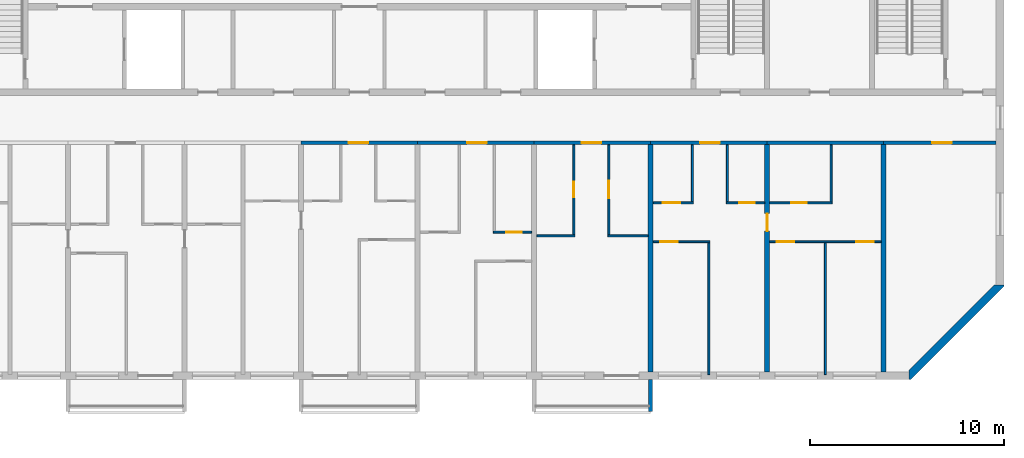
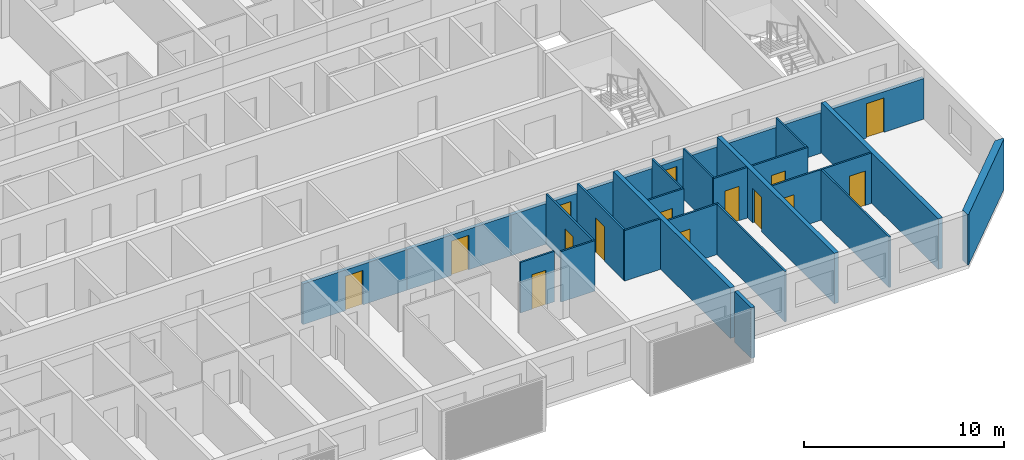
# One storey, part 5 of 29: 26 walls, 15 doors, 15 openings.
"""IFC4 building model written with IfcOpenShell, lengths in metres."""

from ifc_helpers import new_model, si_unit, direction, frame, frame_2d, origin, place, context, subcontext, project, spatial, polyline, rectangle, outline, extrude, source, transform, mapped, material, layer, layer_set, type_object, element, fill, save


model = new_model("IFC4")

# Units and contexts
model_context = context("Model", 3, precision=1e-05, world=origin(), true_north=direction((0.0, 1.0)))
body_context = subcontext(model_context, "Body", "Model", "MODEL_VIEW")
ifc_project = project(units=[si_unit("LENGTHUNIT", "METRE"), si_unit("AREAUNIT", "SQUARE_METRE"), si_unit("VOLUMEUNIT", "CUBIC_METRE"), si_unit("PLANEANGLEUNIT", "RADIAN"), si_unit("MASSUNIT", "GRAM", prefix="KILO")], contexts=[model_context])

# Site, building, storey
site_placement = place(None, origin())
site = spatial("IfcSite", under=ifc_project, at=site_placement, CompositionType="ELEMENT")
building_placement = place(site_placement, origin())
building = spatial("IfcBuilding", under=site, at=building_placement, Name="Poui Terraces", CompositionType="ELEMENT")
storey_placement = place(building_placement, frame((0.0, 0.0, 234.60009765625)))
storey = spatial("IfcBuildingStorey", under=building, at=storey_placement, Name="L65", CompositionType="ELEMENT", Elevation=234.60009765625)

# Wall, opening, door
ifc_material_1 = material(Name="Concrete 50 MPa", Category="concrete")
ifc_layer_1 = layer(ifc_material_1, 0.199951171875)
ifc_layer_set_1 = layer_set([ifc_layer_1], Name="Concrete 50 MPa")
wall_type_1 = type_object("IfcWallType", Name="CORRIDOR WALL 200 50MPa", PredefinedType="SHEAR", material=ifc_layer_set_1)
wall_1_placement = place(storey_placement, frame((48.0, 12.0, 0.0), z_axis=(0.0, 0.0, 1.0), x_axis=(1.0, 0.0, 0.0)))
wall_1 = element("IfcWall", 1, at=wall_1_placement, inside=storey, type_object=wall_type_1, Name="CORRIDOR WALL LINE B BAY 6", PredefinedType="SHEAR", context=body_context, shape_type="SweptSolid", body=[
    extrude(rectangle(XDim=6.0, YDim=0.199951171875, at=frame_2d((3.0, 0.0))), origin(), (0.0, 0.0, 1.0), 2.47998046875),
])
opening_1_placement = place(wall_1_placement, frame((2.449951171875, 0.0, 0.0)))
opening_1 = element("IfcOpeningElement", 2, at=opening_1_placement, cuts=wall_1, Name="Opening FD30S", PredefinedType="OPENING", context=body_context, shape_type="SweptSolid", body=[
    extrude(rectangle(XDim=1.0, YDim=2.10009765625, at=frame_2d((0.5, 1.050048828125))), frame((0.0, 0.10986328125, 0.0), z_axis=(0.0, -1.0, 0.0), x_axis=(1.0, 0.0, 0.0)), (0.0, 0.0, 1.0), 0.219970703125),
])
ifc_material_2 = material(Name="Steel fire door", Category="steel")
door_type_1 = type_object("IfcDoorType", Name="FLAT ENTRANCE DOOR 1000 X 2100", OperationType="NOTDEFINED", PredefinedType="DOOR", material=ifc_material_2)
door_1_placement = place(opening_1_placement, frame((1.0, 0.0, 0.0), z_axis=(0.0, 0.0, 1.0), x_axis=(-1.0, 0.0, 0.0)))
door_1 = element("IfcDoor", 3, at=door_1_placement, inside=storey, type_object=door_type_1, Name="FLAT ENTRANCE DOOR 081", OperationType="SINGLE_SWING_RIGHT", OverallHeight=2.10009765625, OverallWidth=1.0, PredefinedType="DOOR", context=body_context, shape_type="SweptSolid", body=[
    extrude(rectangle(XDim=1.0, YDim=2.10009765625, at=frame_2d((0.5, 1.050048828125))), frame((0.0, 0.02490234375, 0.0), z_axis=(0.0, -1.0, 0.0), x_axis=(1.0, 0.0, 0.0)), (0.0, 0.0, 1.0), 0.050048828125),
])
fill(opening_1, door_1)

wall_2_placement = place(storey_placement, frame((54.0, 12.0, 0.0), z_axis=(0.0, 0.0, 1.0), x_axis=(1.0, 0.0, 0.0)))
wall_2 = element("IfcWall", 4, at=wall_2_placement, inside=storey, type_object=wall_type_1, Name="CORRIDOR WALL LINE B BAY 7", PredefinedType="SHEAR", context=body_context, shape_type="SweptSolid", body=[
    extrude(rectangle(XDim=6.0, YDim=0.199951171875, at=frame_2d((3.0, 0.0))), origin(), (0.0, 0.0, 1.0), 2.47998046875),
])
opening_2_placement = place(wall_2_placement, frame((2.550048828125, 0.0, 0.0)))
opening_2 = element("IfcOpeningElement", 5, at=opening_2_placement, cuts=wall_2, Name="Opening FD30S", PredefinedType="OPENING", context=body_context, shape_type="SweptSolid", body=[
    extrude(rectangle(XDim=1.0, YDim=2.10009765625, at=frame_2d((0.5, 1.050048828125))), frame((0.0, 0.10986328125, 0.0), z_axis=(0.0, -1.0, 0.0), x_axis=(1.0, 0.0, 0.0)), (0.0, 0.0, 1.0), 0.219970703125),
])
door_2_placement = place(opening_2_placement, frame((1.0, 0.0, 0.0), z_axis=(0.0, 0.0, 1.0), x_axis=(-1.0, 0.0, 0.0)))
door_2 = element("IfcDoor", 6, at=door_2_placement, inside=storey, type_object=door_type_1, Name="FLAT ENTRANCE DOOR 085", OperationType="SINGLE_SWING_LEFT", OverallHeight=2.10009765625, OverallWidth=1.0, PredefinedType="DOOR", context=body_context, shape_type="SweptSolid", body=[
    extrude(rectangle(XDim=1.0, YDim=2.10009765625, at=frame_2d((0.5, 1.050048828125))), frame((0.0, 0.02490234375, 0.0), z_axis=(0.0, -1.0, 0.0), x_axis=(1.0, 0.0, 0.0)), (0.0, 0.0, 1.0), 0.050048828125),
])
fill(opening_2, door_2)

wall_3_placement = place(storey_placement, frame((60.0, 12.0, 0.0), z_axis=(0.0, 0.0, 1.0), x_axis=(1.0, 0.0, 0.0)))
wall_3 = element("IfcWall", 7, at=wall_3_placement, inside=storey, type_object=wall_type_1, Name="CORRIDOR WALL LINE B BAY 8", PredefinedType="SHEAR", context=body_context, shape_type="SweptSolid", body=[
    extrude(rectangle(XDim=6.0, YDim=0.199951171875, at=frame_2d((3.0, 0.0))), origin(), (0.0, 0.0, 1.0), 2.47998046875),
])
opening_3_placement = place(wall_3_placement, frame((2.449951171875, 0.0, 0.0)))
opening_3 = element("IfcOpeningElement", 8, at=opening_3_placement, cuts=wall_3, Name="Opening FD30S", PredefinedType="OPENING", context=body_context, shape_type="SweptSolid", body=[
    extrude(rectangle(XDim=1.0, YDim=2.10009765625, at=frame_2d((0.5, 1.050048828125))), frame((0.0, 0.10986328125, 0.0), z_axis=(0.0, -1.0, 0.0), x_axis=(1.0, 0.0, 0.0)), (0.0, 0.0, 1.0), 0.219970703125),
])
door_3_placement = place(opening_3_placement, frame((1.0, 0.0, 0.0), z_axis=(0.0, 0.0, 1.0), x_axis=(-1.0, 0.0, 0.0)))
door_3 = element("IfcDoor", 9, at=door_3_placement, inside=storey, type_object=door_type_1, Name="FLAT ENTRANCE DOOR 089", OperationType="SINGLE_SWING_RIGHT", OverallHeight=2.10009765625, OverallWidth=1.0, PredefinedType="DOOR", context=body_context, shape_type="SweptSolid", body=[
    extrude(rectangle(XDim=1.0, YDim=2.10009765625, at=frame_2d((0.5, 1.050048828125))), frame((0.0, 0.02490234375, 0.0), z_axis=(0.0, -1.0, 0.0), x_axis=(1.0, 0.0, 0.0)), (0.0, 0.0, 1.0), 0.050048828125),
])
fill(opening_3, door_3)

wall_4_placement = place(storey_placement, frame((66.0, 12.0, 0.0), z_axis=(0.0, 0.0, 1.0), x_axis=(1.0, 0.0, 0.0)))
wall_4 = element("IfcWall", 10, at=wall_4_placement, inside=storey, type_object=wall_type_1, Name="CORRIDOR WALL LINE B BAY 9", PredefinedType="SHEAR", context=body_context, shape_type="SweptSolid", body=[
    extrude(rectangle(XDim=6.0, YDim=0.199951171875, at=frame_2d((3.0, 0.0))), origin(), (0.0, 0.0, 1.0), 2.47998046875),
])
opening_4_placement = place(wall_4_placement, frame((2.550048828125, 0.0, 0.0)))
opening_4 = element("IfcOpeningElement", 11, at=opening_4_placement, cuts=wall_4, Name="Opening FD30S", PredefinedType="OPENING", context=body_context, shape_type="SweptSolid", body=[
    extrude(rectangle(XDim=1.0, YDim=2.10009765625, at=frame_2d((0.5, 1.050048828125))), frame((0.0, 0.10986328125, 0.0), z_axis=(0.0, -1.0, 0.0), x_axis=(1.0, 0.0, 0.0)), (0.0, 0.0, 1.0), 0.219970703125),
])
door_4_placement = place(opening_4_placement, frame((1.0, 0.0, 0.0), z_axis=(0.0, 0.0, 1.0), x_axis=(-1.0, 0.0, 0.0)))
door_4 = element("IfcDoor", 12, at=door_4_placement, inside=storey, type_object=door_type_1, Name="FLAT ENTRANCE DOOR 096", OperationType="SINGLE_SWING_LEFT", OverallHeight=2.10009765625, OverallWidth=1.0, PredefinedType="DOOR", context=body_context, shape_type="SweptSolid", body=[
    extrude(rectangle(XDim=1.0, YDim=2.10009765625, at=frame_2d((0.5, 1.050048828125))), frame((0.0, 0.02490234375, 0.0), z_axis=(0.0, -1.0, 0.0), x_axis=(1.0, 0.0, 0.0)), (0.0, 0.0, 1.0), 0.050048828125),
])
fill(opening_4, door_4)

# Wall
wall_5_placement = place(storey_placement, frame((72.0, 12.0, 0.0), z_axis=(0.0, 0.0, 1.0), x_axis=(1.0, 0.0, 0.0)))
element("IfcWall", 13, at=wall_5_placement, inside=storey, type_object=wall_type_1, Name="CORRIDOR WALL LINE B BAY 10", PredefinedType="SHEAR", context=body_context, shape_type="SweptSolid", body=[
    extrude(rectangle(XDim=6.0, YDim=0.199951171875, at=frame_2d((3.0, 0.0))), origin(), (0.0, 0.0, 1.0), 2.47998046875),
])

# Wall, opening, door
wall_6_placement = place(storey_placement, frame((78.0, 12.0, 0.0), z_axis=(0.0, 0.0, 1.0), x_axis=(1.0, 0.0, 0.0)))
wall_6 = element("IfcWall", 14, at=wall_6_placement, inside=storey, type_object=wall_type_1, Name="CORRIDOR WALL LINE B BAY 11", PredefinedType="SHEAR", context=body_context, shape_type="SweptSolid", body=[
    extrude(rectangle(XDim=5.800048828125, YDim=0.199951171875, at=frame_2d((2.89990234375, 0.0))), origin(), (0.0, 0.0, 1.0), 2.47998046875),
])
opening_5_placement = place(wall_6_placement, frame((2.5, 0.0, 0.0)))
opening_5 = element("IfcOpeningElement", 15, at=opening_5_placement, cuts=wall_6, Name="Opening D100", PredefinedType="OPENING", context=body_context, shape_type="SweptSolid", body=[
    extrude(rectangle(XDim=1.0, YDim=2.10009765625, at=frame_2d((0.5, 1.050048828125))), frame((0.0, 0.10986328125, 0.0), z_axis=(0.0, -1.0, 0.0), x_axis=(1.0, 0.0, 0.0)), (0.0, 0.0, 1.0), 0.219970703125),
])
ifc_material_3 = material(Name="Solid core timber door", Category="wood")
door_type_2 = type_object("IfcDoorType", Name="ACCESSIBLE INTERNAL DOOR 1000 X 2100", OperationType="NOTDEFINED", PredefinedType="DOOR", material=ifc_material_3)
door_5_placement = place(opening_5_placement, frame((1.0, 0.0, 0.0), z_axis=(0.0, 0.0, 1.0), x_axis=(-1.0, 0.0, 0.0)))
door_5 = element("IfcDoor", 16, at=door_5_placement, inside=storey, type_object=door_type_2, Name="ACCESSIBLE INTERNAL DOOR 099", OperationType="SINGLE_SWING_RIGHT", OverallHeight=2.10009765625, OverallWidth=1.0, PredefinedType="DOOR", context=body_context, shape_type="SweptSolid", body=[
    extrude(rectangle(XDim=1.0, YDim=2.10009765625, at=frame_2d((0.5, 1.050048828125))), frame((0.0, 0.02490234375, 0.0), z_axis=(0.0, -1.0, 0.0), x_axis=(1.0, 0.0, 0.0)), (0.0, 0.0, 1.0), 0.050048828125),
])
fill(opening_5, door_5)

# Wall
ifc_layer_2 = layer(ifc_material_1, 0.25)
ifc_layer_set_2 = layer_set([ifc_layer_2], Name="Concrete 50 MPa")
wall_type_2 = type_object("IfcWallType", Name="CROSS WALL 250 50MPa", PredefinedType="SHEAR", material=ifc_layer_set_2)
wall_7_placement = place(storey_placement, frame((66.0, 0.199951171875, 0.0), z_axis=(0.0, 0.0, 1.0), x_axis=(0.0, 1.0, 0.0)))
element("IfcWall", 17, at=wall_7_placement, inside=storey, type_object=wall_type_2, Name="CROSS WALL LINE 12 SOUTH", PredefinedType="SHEAR", context=body_context, shape_type="SweptSolid", body=[
    extrude(rectangle(XDim=11.699951171875, YDim=0.25, at=frame_2d((5.85009765625, 0.0))), origin(), (0.0, 0.0, 1.0), 3.079833984375),
])

# Wall, opening, door
wall_8_placement = place(storey_placement, frame((72.0, 0.199951171875, 0.0), z_axis=(0.0, 0.0, 1.0), x_axis=(0.0, 1.0, 0.0)))
wall_8 = element("IfcWall", 18, at=wall_8_placement, inside=storey, type_object=wall_type_2, Name="CROSS WALL LINE 13 SOUTH", PredefinedType="SHEAR", context=body_context, shape_type="SweptSolid", body=[
    extrude(rectangle(XDim=11.699951171875, YDim=0.25, at=frame_2d((5.85009765625, 0.0))), origin(), (0.0, 0.0, 1.0), 3.079833984375),
])
opening_6_placement = place(wall_8_placement, frame((7.25, 0.0, 0.0)))
opening_6 = element("IfcOpeningElement", 19, at=opening_6_placement, cuts=wall_8, Name="Opening D90", PredefinedType="OPENING", context=body_context, shape_type="SweptSolid", body=[
    extrude(rectangle(XDim=0.89990234375, YDim=2.10009765625, at=frame_2d((0.449951171875, 1.050048828125))), frame((0.0, 0.135009765625, 0.0), z_axis=(0.0, -1.0, 0.0), x_axis=(1.0, 0.0, 0.0)), (0.0, 0.0, 1.0), 0.27001953125),
])
door_type_3 = type_object("IfcDoorType", Name="INTERNAL DOOR 900 X 2100", OperationType="NOTDEFINED", PredefinedType="DOOR", material=ifc_material_3)
door_6_placement = place(opening_6_placement, origin())
door_6 = element("IfcDoor", 20, at=door_6_placement, inside=storey, type_object=door_type_3, Name="INTERNAL DOOR 098", OperationType="SINGLE_SWING_RIGHT", OverallHeight=2.10009765625, OverallWidth=0.89990234375, PredefinedType="DOOR", context=body_context, shape_type="SweptSolid", body=[
    extrude(rectangle(XDim=0.89990234375, YDim=2.10009765625, at=frame_2d((0.449951171875, 1.050048828125))), frame((0.0, 0.02490234375, 0.0), z_axis=(0.0, -1.0, 0.0), x_axis=(1.0, 0.0, 0.0)), (0.0, 0.0, 1.0), 0.050048828125),
])
fill(opening_6, door_6)

# Wall
wall_9_placement = place(storey_placement, frame((78.0, 0.199951171875, 0.0), z_axis=(0.0, 0.0, 1.0), x_axis=(0.0, 1.0, 0.0)))
element("IfcWall", 21, at=wall_9_placement, inside=storey, type_object=wall_type_2, Name="CROSS WALL LINE 14 SOUTH", PredefinedType="SHEAR", context=body_context, shape_type="SweptSolid", body=[
    extrude(rectangle(XDim=11.699951171875, YDim=0.25, at=frame_2d((5.85009765625, 0.0))), origin(), (0.0, 0.0, 1.0), 3.079833984375),
])

# Wall, opening, door
ifc_material_4 = material(Name="Plasterboard partition")
ifc_layer_3 = layer(ifc_material_4, 0.10009765625)
ifc_layer_set_3 = layer_set([ifc_layer_3], Name="Plasterboard partition")
wall_type_3 = type_object("IfcWallType", Name="FLAT PARTITION 100", PredefinedType="PARTITIONING", material=ifc_layer_set_3)
wall_10_placement = place(storey_placement, frame((66.135009765625, 6.89990234375, 0.0), z_axis=(0.0, 0.0, 1.0), x_axis=(1.0, 0.0, 0.0)))
wall_10 = element("IfcWall", 22, at=wall_10_placement, inside=storey, type_object=wall_type_3, Name="FLAT PARTITION 100", PredefinedType="PARTITIONING", context=body_context, shape_type="SweptSolid", body=[
    extrude(rectangle(XDim=2.9150390625, YDim=0.10009765625, at=frame_2d((1.45751953125, 0.0))), origin(), (0.0, 0.0, 1.0), 3.079833984375),
])
opening_7_placement = place(wall_10_placement, frame((0.364990234375, 0.0, 0.0)))
opening_7 = element("IfcOpeningElement", 23, at=opening_7_placement, cuts=wall_10, Name="Opening D90", PredefinedType="OPENING", context=body_context, shape_type="SweptSolid", body=[
    extrude(rectangle(XDim=0.89990234375, YDim=2.10009765625, at=frame_2d((0.449951171875, 1.050048828125))), frame((0.0, 0.06005859375, 0.0), z_axis=(0.0, -1.0, 0.0), x_axis=(1.0, 0.0, 0.0)), (0.0, 0.0, 1.0), 0.1201171875),
])
door_7_placement = place(opening_7_placement, origin())
door_7 = element("IfcDoor", 24, at=door_7_placement, inside=storey, type_object=door_type_3, Name="INTERNAL DOOR 094", OperationType="SINGLE_SWING_RIGHT", OverallHeight=2.10009765625, OverallWidth=0.89990234375, PredefinedType="DOOR", context=body_context, shape_type="SweptSolid", body=[
    extrude(rectangle(XDim=0.89990234375, YDim=2.10009765625, at=frame_2d((0.449951171875, 1.050048828125))), frame((0.0, 0.02490234375, 0.0), z_axis=(0.0, -1.0, 0.0), x_axis=(1.0, 0.0, 0.0)), (0.0, 0.0, 1.0), 0.050048828125),
])
fill(opening_7, door_7)

# Wall, openings, doors
wall_11_placement = place(storey_placement, frame((72.135009765625, 6.89990234375, 0.0), z_axis=(0.0, 0.0, 1.0), x_axis=(1.0, 0.0, 0.0)))
wall_11 = element("IfcWall", 25, at=wall_11_placement, inside=storey, type_object=wall_type_3, Name="FLAT PARTITION 100", PredefinedType="PARTITIONING", context=body_context, shape_type="SweptSolid", body=[
    extrude(rectangle(XDim=5.72998046875, YDim=0.10009765625, at=frame_2d((2.864990234375, 0.0))), origin(), (0.0, 0.0, 1.0), 3.079833984375),
])
opening_8_placement = place(wall_11_placement, frame((0.364990234375, 0.0, 0.0)))
opening_8 = element("IfcOpeningElement", 26, at=opening_8_placement, cuts=wall_11, Name="Opening D90", PredefinedType="OPENING", context=body_context, shape_type="SweptSolid", body=[
    extrude(rectangle(XDim=0.89990234375, YDim=2.10009765625, at=frame_2d((0.449951171875, 1.050048828125))), frame((0.0, 0.06005859375, 0.0), z_axis=(0.0, -1.0, 0.0), x_axis=(1.0, 0.0, 0.0)), (0.0, 0.0, 1.0), 0.1201171875),
])
opening_9_placement = place(wall_11_placement, frame((4.465087890625, 0.0, 0.0)))
opening_9 = element("IfcOpeningElement", 27, at=opening_9_placement, cuts=wall_11, Name="Opening D90", PredefinedType="OPENING", context=body_context, shape_type="SweptSolid", body=[
    extrude(rectangle(XDim=0.89990234375, YDim=2.10009765625, at=frame_2d((0.449951171875, 1.050048828125))), frame((0.0, 0.06005859375, 0.0), z_axis=(0.0, -1.0, 0.0), x_axis=(1.0, 0.0, 0.0)), (0.0, 0.0, 1.0), 0.1201171875),
])
door_8_placement = place(opening_8_placement, frame((0.89990234375, 0.0, 0.0), z_axis=(0.0, 0.0, 1.0), x_axis=(-1.0, 0.0, 0.0)))
door_8 = element("IfcDoor", 28, at=door_8_placement, inside=storey, type_object=door_type_3, Name="INTERNAL DOOR 091", OperationType="SINGLE_SWING_RIGHT", OverallHeight=2.10009765625, OverallWidth=0.89990234375, PredefinedType="DOOR", context=body_context, shape_type="SweptSolid", body=[
    extrude(rectangle(XDim=0.89990234375, YDim=2.10009765625, at=frame_2d((0.449951171875, 1.050048828125))), frame((0.0, 0.02490234375, 0.0), z_axis=(0.0, -1.0, 0.0), x_axis=(1.0, 0.0, 0.0)), (0.0, 0.0, 1.0), 0.050048828125),
])
fill(opening_8, door_8)
door_9_placement = place(opening_9_placement, frame((0.89990234375, 0.0, 0.0), z_axis=(0.0, 0.0, 1.0), x_axis=(-1.0, 0.0, 0.0)))
door_9 = element("IfcDoor", 29, at=door_9_placement, inside=storey, type_object=door_type_3, Name="INTERNAL DOOR 093", OperationType="SINGLE_SWING_LEFT", OverallHeight=2.10009765625, OverallWidth=0.89990234375, PredefinedType="DOOR", context=body_context, shape_type="SweptSolid", body=[
    extrude(rectangle(XDim=0.89990234375, YDim=2.10009765625, at=frame_2d((0.449951171875, 1.050048828125))), frame((0.0, 0.02490234375, 0.0), z_axis=(0.0, -1.0, 0.0), x_axis=(1.0, 0.0, 0.0)), (0.0, 0.0, 1.0), 0.050048828125),
])
fill(opening_9, door_9)

# Walls
wall_12_placement = place(storey_placement, frame((60.135009765625, 7.199951171875, 0.0), z_axis=(0.0, 0.0, 1.0), x_axis=(1.0, 0.0, 0.0)))
element("IfcWall", 30, at=wall_12_placement, inside=storey, type_object=wall_type_3, Name="FLAT PARTITION 100", PredefinedType="PARTITIONING", context=body_context, shape_type="SweptSolid", body=[
    extrude(rectangle(XDim=1.965087890625, YDim=0.10009765625, at=frame_2d((0.982421875, 0.0))), origin(), (0.0, 0.0, 1.0), 3.079833984375),
])
wall_13_placement = place(storey_placement, frame((63.800048828125, 7.199951171875, 0.0), z_axis=(0.0, 0.0, 1.0), x_axis=(1.0, 0.0, 0.0)))
element("IfcWall", 31, at=wall_13_placement, inside=storey, type_object=wall_type_3, Name="FLAT PARTITION 100", PredefinedType="PARTITIONING", context=body_context, shape_type="SweptSolid", body=[
    extrude(rectangle(XDim=2.06494140625, YDim=0.10009765625, at=frame_2d((1.032470703125, 0.0))), origin(), (0.0, 0.0, 1.0), 3.079833984375),
])

# Wall, opening, door
wall_14_placement = place(storey_placement, frame((57.89990234375, 7.39990234375, 0.0), z_axis=(0.0, 0.0, 1.0), x_axis=(1.0, 0.0, 0.0)))
wall_14 = element("IfcWall", 32, at=wall_14_placement, inside=storey, type_object=wall_type_3, Name="FLAT PARTITION 100", PredefinedType="PARTITIONING", context=body_context, shape_type="SweptSolid", body=[
    extrude(rectangle(XDim=1.965087890625, YDim=0.10009765625, at=frame_2d((0.982421875, 0.0))), origin(), (0.0, 0.0, 1.0), 3.079833984375),
])
opening_10_placement = place(wall_14_placement, frame((0.675048828125, 0.0, 0.0)))
opening_10 = element("IfcOpeningElement", 33, at=opening_10_placement, cuts=wall_14, Name="Opening D80", PredefinedType="OPENING", context=body_context, shape_type="SweptSolid", body=[
    extrude(rectangle(XDim=0.800048828125, YDim=2.10009765625, at=frame_2d((0.39990234375, 1.050048828125))), frame((0.0, 0.06005859375, 0.0), z_axis=(0.0, -1.0, 0.0), x_axis=(1.0, 0.0, 0.0)), (0.0, 0.0, 1.0), 0.1201171875),
])
door_type_4 = type_object("IfcDoorType", Name="BATHROOM, LAUNDRY AND STORE DOOR 800 X 2100", OperationType="NOTDEFINED", PredefinedType="DOOR", material=ifc_material_3)
door_10_placement = place(opening_10_placement, origin())
door_10 = element("IfcDoor", 34, at=door_10_placement, inside=storey, type_object=door_type_4, Name="BATHROOM, LAUNDRY AND STORE DOOR 086", OperationType="SINGLE_SWING_RIGHT", OverallHeight=2.10009765625, OverallWidth=0.800048828125, PredefinedType="DOOR", context=body_context, shape_type="SweptSolid", body=[
    extrude(rectangle(XDim=0.800048828125, YDim=2.10009765625, at=frame_2d((0.39990234375, 1.050048828125))), frame((0.0, 0.02490234375, 0.0), z_axis=(0.0, -1.0, 0.0), x_axis=(1.0, 0.0, 0.0)), (0.0, 0.0, 1.0), 0.050048828125),
])
fill(opening_10, door_10)

wall_15_placement = place(storey_placement, frame((66.135009765625, 8.89990234375, 0.0), z_axis=(0.0, 0.0, 1.0), x_axis=(1.0, 0.0, 0.0)))
wall_15 = element("IfcWall", 35, at=wall_15_placement, inside=storey, type_object=wall_type_3, Name="FLAT PARTITION 100", PredefinedType="PARTITIONING", context=body_context, shape_type="SweptSolid", body=[
    extrude(rectangle(XDim=2.06494140625, YDim=0.10009765625, at=frame_2d((1.032470703125, 0.0))), origin(), (0.0, 0.0, 1.0), 3.079833984375),
])
opening_11_placement = place(wall_15_placement, frame((0.489990234375, 0.0, 0.0)))
opening_11 = element("IfcOpeningElement", 36, at=opening_11_placement, cuts=wall_15, Name="Opening D90", PredefinedType="OPENING", context=body_context, shape_type="SweptSolid", body=[
    extrude(rectangle(XDim=0.89990234375, YDim=2.10009765625, at=frame_2d((0.449951171875, 1.050048828125))), frame((0.0, 0.06005859375, 0.0), z_axis=(0.0, -1.0, 0.0), x_axis=(1.0, 0.0, 0.0)), (0.0, 0.0, 1.0), 0.1201171875),
])
door_11_placement = place(opening_11_placement, origin())
door_11 = element("IfcDoor", 37, at=door_11_placement, inside=storey, type_object=door_type_3, Name="INTERNAL DOOR 095", OperationType="SINGLE_SWING_LEFT", OverallHeight=2.10009765625, OverallWidth=0.89990234375, PredefinedType="DOOR", context=body_context, shape_type="SweptSolid", body=[
    extrude(rectangle(XDim=0.89990234375, YDim=2.10009765625, at=frame_2d((0.449951171875, 1.050048828125))), frame((0.0, 0.02490234375, 0.0), z_axis=(0.0, -1.0, 0.0), x_axis=(1.0, 0.0, 0.0)), (0.0, 0.0, 1.0), 0.050048828125),
])
fill(opening_11, door_11)

wall_16_placement = place(storey_placement, frame((69.89990234375, 8.89990234375, 0.0), z_axis=(0.0, 0.0, 1.0), x_axis=(1.0, 0.0, 0.0)))
wall_16 = element("IfcWall", 38, at=wall_16_placement, inside=storey, type_object=wall_type_3, Name="FLAT PARTITION 100", PredefinedType="PARTITIONING", context=body_context, shape_type="SweptSolid", body=[
    extrude(rectangle(XDim=1.965087890625, YDim=0.10009765625, at=frame_2d((0.982421875, 0.0))), origin(), (0.0, 0.0, 1.0), 3.079833984375),
])
opening_12_placement = place(wall_16_placement, frame((0.675048828125, 0.0, 0.0)))
opening_12 = element("IfcOpeningElement", 39, at=opening_12_placement, cuts=wall_16, Name="Opening D80", PredefinedType="OPENING", context=body_context, shape_type="SweptSolid", body=[
    extrude(rectangle(XDim=0.800048828125, YDim=2.10009765625, at=frame_2d((0.39990234375, 1.050048828125))), frame((0.0, 0.06005859375, 0.0), z_axis=(0.0, -1.0, 0.0), x_axis=(1.0, 0.0, 0.0)), (0.0, 0.0, 1.0), 0.1201171875),
])
door_12_placement = place(opening_12_placement, origin())
door_12 = element("IfcDoor", 40, at=door_12_placement, inside=storey, type_object=door_type_4, Name="BATHROOM, LAUNDRY AND STORE DOOR 097", OperationType="SINGLE_SWING_RIGHT", OverallHeight=2.10009765625, OverallWidth=0.800048828125, PredefinedType="DOOR", context=body_context, shape_type="SweptSolid", body=[
    extrude(rectangle(XDim=0.800048828125, YDim=2.10009765625, at=frame_2d((0.39990234375, 1.050048828125))), frame((0.0, 0.02490234375, 0.0), z_axis=(0.0, -1.0, 0.0), x_axis=(1.0, 0.0, 0.0)), (0.0, 0.0, 1.0), 0.050048828125),
])
fill(opening_12, door_12)

wall_17_placement = place(storey_placement, frame((72.135009765625, 8.89990234375, 0.0), z_axis=(0.0, 0.0, 1.0), x_axis=(1.0, 0.0, 0.0)))
wall_17 = element("IfcWall", 41, at=wall_17_placement, inside=storey, type_object=wall_type_3, Name="FLAT PARTITION 100", PredefinedType="PARTITIONING", context=body_context, shape_type="SweptSolid", body=[
    extrude(rectangle(XDim=3.215087890625, YDim=0.10009765625, at=frame_2d((1.607421875, 0.0))), origin(), (0.0, 0.0, 1.0), 3.079833984375),
])
opening_13_placement = place(wall_17_placement, frame((1.114990234375, 0.0, 0.0)))
opening_13 = element("IfcOpeningElement", 42, at=opening_13_placement, cuts=wall_17, Name="Opening D80", PredefinedType="OPENING", context=body_context, shape_type="SweptSolid", body=[
    extrude(rectangle(XDim=0.800048828125, YDim=2.10009765625, at=frame_2d((0.39990234375, 1.050048828125))), frame((0.0, 0.06005859375, 0.0), z_axis=(0.0, -1.0, 0.0), x_axis=(1.0, 0.0, 0.0)), (0.0, 0.0, 1.0), 0.1201171875),
])
door_13_placement = place(opening_13_placement, frame((0.800048828125, 0.0, 0.0), z_axis=(0.0, 0.0, 1.0), x_axis=(-1.0, 0.0, 0.0)))
door_13 = element("IfcDoor", 43, at=door_13_placement, inside=storey, type_object=door_type_4, Name="BATHROOM, LAUNDRY AND STORE DOOR 092", OperationType="SINGLE_SWING_LEFT", OverallHeight=2.10009765625, OverallWidth=0.800048828125, PredefinedType="DOOR", context=body_context, shape_type="SweptSolid", body=[
    extrude(rectangle(XDim=0.800048828125, YDim=2.10009765625, at=frame_2d((0.39990234375, 1.050048828125))), frame((0.0, 0.02490234375, 0.0), z_axis=(0.0, -1.0, 0.0), x_axis=(1.0, 0.0, 0.0)), (0.0, 0.0, 1.0), 0.050048828125),
])
fill(opening_13, door_13)

wall_18_placement = place(storey_placement, frame((62.050048828125, 7.25, 0.0), z_axis=(0.0, 0.0, 1.0), x_axis=(0.0, 1.0, 0.0)))
wall_18 = element("IfcWall", 44, at=wall_18_placement, inside=storey, type_object=wall_type_3, Name="FLAT PARTITION 100", PredefinedType="PARTITIONING", context=body_context, shape_type="SweptSolid", body=[
    extrude(rectangle(XDim=4.639892578125, YDim=0.10009765625, at=frame_2d((2.31982421875, 0.0))), origin(), (0.0, 0.0, 1.0), 3.079833984375),
])
opening_14_placement = place(wall_18_placement, frame((1.949951171875, 0.0, 0.0)))
opening_14 = element("IfcOpeningElement", 45, at=opening_14_placement, cuts=wall_18, Name="Opening D80", PredefinedType="OPENING", context=body_context, shape_type="SweptSolid", body=[
    extrude(rectangle(XDim=0.800048828125, YDim=2.10009765625, at=frame_2d((0.39990234375, 1.050048828125))), frame((0.0, 0.06005859375, 0.0), z_axis=(0.0, -1.0, 0.0), x_axis=(1.0, 0.0, 0.0)), (0.0, 0.0, 1.0), 0.1201171875),
])
door_14_placement = place(opening_14_placement, origin())
door_14 = element("IfcDoor", 46, at=door_14_placement, inside=storey, type_object=door_type_4, Name="BATHROOM, LAUNDRY AND STORE DOOR 088", OperationType="SINGLE_SWING_LEFT", OverallHeight=2.10009765625, OverallWidth=0.800048828125, PredefinedType="DOOR", context=body_context, shape_type="SweptSolid", body=[
    extrude(rectangle(XDim=0.800048828125, YDim=2.10009765625, at=frame_2d((0.39990234375, 1.050048828125))), frame((0.0, 0.02490234375, 0.0), z_axis=(0.0, -1.0, 0.0), x_axis=(1.0, 0.0, 0.0)), (0.0, 0.0, 1.0), 0.050048828125),
])
fill(opening_14, door_14)

wall_19_placement = place(storey_placement, frame((63.85009765625, 7.25, 0.0), z_axis=(0.0, 0.0, 1.0), x_axis=(0.0, 1.0, 0.0)))
wall_19 = element("IfcWall", 47, at=wall_19_placement, inside=storey, type_object=wall_type_3, Name="FLAT PARTITION 100", PredefinedType="PARTITIONING", context=body_context, shape_type="SweptSolid", body=[
    extrude(rectangle(XDim=4.639892578125, YDim=0.10009765625, at=frame_2d((2.31982421875, 0.0))), origin(), (0.0, 0.0, 1.0), 3.079833984375),
])
opening_15_placement = place(wall_19_placement, frame((1.89990234375, 0.0, 0.0)))
opening_15 = element("IfcOpeningElement", 48, at=opening_15_placement, cuts=wall_19, Name="Opening D90", PredefinedType="OPENING", context=body_context, shape_type="SweptSolid", body=[
    extrude(rectangle(XDim=0.89990234375, YDim=2.10009765625, at=frame_2d((0.449951171875, 1.050048828125))), frame((0.0, 0.06005859375, 0.0), z_axis=(0.0, -1.0, 0.0), x_axis=(1.0, 0.0, 0.0)), (0.0, 0.0, 1.0), 0.1201171875),
])
door_15_placement = place(opening_15_placement, frame((0.89990234375, 0.0, 0.0), z_axis=(0.0, 0.0, 1.0), x_axis=(-1.0, 0.0, 0.0)))
door_15 = element("IfcDoor", 49, at=door_15_placement, inside=storey, type_object=door_type_3, Name="INTERNAL DOOR 090", OperationType="SINGLE_SWING_LEFT", OverallHeight=2.10009765625, OverallWidth=0.89990234375, PredefinedType="DOOR", context=body_context, shape_type="SweptSolid", body=[
    extrude(rectangle(XDim=0.89990234375, YDim=2.10009765625, at=frame_2d((0.449951171875, 1.050048828125))), frame((0.0, 0.02490234375, 0.0), z_axis=(0.0, -1.0, 0.0), x_axis=(1.0, 0.0, 0.0)), (0.0, 0.0, 1.0), 0.050048828125),
])
fill(opening_15, door_15)

# Walls
wall_20_placement = place(storey_placement, frame((68.14990234375, 8.949951171875, 0.0), z_axis=(0.0, 0.0, 1.0), x_axis=(0.0, 1.0, 0.0)))
element("IfcWall", 50, at=wall_20_placement, inside=storey, type_object=wall_type_3, Name="FLAT PARTITION 100", PredefinedType="PARTITIONING", context=body_context, shape_type="SweptSolid", body=[
    extrude(rectangle(XDim=2.93994140625, YDim=0.10009765625, at=frame_2d((1.469970703125, 0.0))), origin(), (0.0, 0.0, 1.0), 3.079833984375),
])
wall_21_placement = place(storey_placement, frame((69.0, 0.06005859375, 0.0), z_axis=(0.0, 0.0, 1.0), x_axis=(0.0, 1.0, 0.0)))
element("IfcWall", 51, at=wall_21_placement, inside=storey, type_object=wall_type_3, Name="FLAT PARTITION 100", PredefinedType="PARTITIONING", context=body_context, shape_type="SweptSolid", body=[
    extrude(rectangle(XDim=6.7900390625, YDim=0.10009765625, at=frame_2d((3.39501953125, 0.0))), origin(), (0.0, 0.0, 1.0), 3.079833984375),
])
wall_22_placement = place(storey_placement, frame((69.949951171875, 8.949951171875, 0.0), z_axis=(0.0, 0.0, 1.0), x_axis=(0.0, 1.0, 0.0)))
element("IfcWall", 52, at=wall_22_placement, inside=storey, type_object=wall_type_3, Name="FLAT PARTITION 100", PredefinedType="PARTITIONING", context=body_context, shape_type="SweptSolid", body=[
    extrude(rectangle(XDim=2.93994140625, YDim=0.10009765625, at=frame_2d((1.469970703125, 0.0))), origin(), (0.0, 0.0, 1.0), 3.079833984375),
])
wall_23_placement = place(storey_placement, frame((75.0, 0.06005859375, 0.0), z_axis=(0.0, 0.0, 1.0), x_axis=(0.0, 1.0, 0.0)))
element("IfcWall", 53, at=wall_23_placement, inside=storey, type_object=wall_type_3, Name="FLAT PARTITION 100", PredefinedType="PARTITIONING", context=body_context, shape_type="SweptSolid", body=[
    extrude(rectangle(XDim=6.7900390625, YDim=0.10009765625, at=frame_2d((3.39501953125, 0.0))), origin(), (0.0, 0.0, 1.0), 3.079833984375),
])
wall_24_placement = place(storey_placement, frame((75.300048828125, 8.949951171875, 0.0), z_axis=(0.0, 0.0, 1.0), x_axis=(0.0, 1.0, 0.0)))
element("IfcWall", 54, at=wall_24_placement, inside=storey, type_object=wall_type_3, Name="FLAT PARTITION 100", PredefinedType="PARTITIONING", context=body_context, shape_type="SweptSolid", body=[
    extrude(rectangle(XDim=2.93994140625, YDim=0.10009765625, at=frame_2d((1.469970703125, 0.0))), origin(), (0.0, 0.0, 1.0), 3.079833984375),
])
ifc_material_5 = material(Name="Precast concrete 40 MPa", Category="concrete")
ifc_layer_4 = layer(ifc_material_5, 0.39990234375)
ifc_layer_set_4 = layer_set([ifc_layer_4], Name="Precast concrete 40 MPa")
wall_type_4 = type_object("IfcWallType", Name="TERRACOTTA CLAD CHAMFER WALL 400", PredefinedType="STANDARD", material=ifc_layer_set_4)
wall_25_placement = place(storey_placement, origin())
element("IfcWall", 55, at=wall_25_placement, inside=storey, type_object=wall_type_4, Name="CHAMFER WALL CH01", PredefinedType="STANDARD", context=body_context, shape_type="SweptSolid", body=[
    extrude(outline(polyline([(79.317138671875, -0.199951171875), (79.39990234375, -0.199951171875), (84.199951171875, 4.60009765625), (84.199951171875, 4.682861328125), (83.71728515625, 4.682861328125), (79.317138671875, 0.28271484375), (79.317138671875, -0.199951171875)])), origin(), (0.0, 0.0, 1.0), 3.079833984375),
])
ifc_layer_5 = layer(ifc_material_5, 0.199951171875)
ifc_layer_set_5 = layer_set([ifc_layer_5], Name="Precast concrete 40 MPa")
wall_type_5 = type_object("IfcWallType", Name="REAR FIN 200", PredefinedType="STANDARD", material=ifc_layer_set_5)
shared_shape = source(origin(), body_context, "Body", "SweptSolid", [
    extrude(outline(polyline([(0.0, 0.0), (0.2001953125, 0.0), (0.2001953125, 1.650146484375), (0.0, 1.650146484375), (0.0, 0.0)])), origin(), (0.0, 0.0, 1.0), 3.099853515625),
])
wall_26_placement = place(storey_placement, frame((65.89990234375, -1.85009765625, 0.0)))
element("IfcWall", 56, at=wall_26_placement, inside=storey, type_object=wall_type_5, Name="REAR FIN", PredefinedType="STANDARD", context=body_context, shape_type="MappedRepresentation", body=[
    mapped(shared_shape, transform((0.0, 0.0, 0.0))),
])

save(model, "model.ifc")
